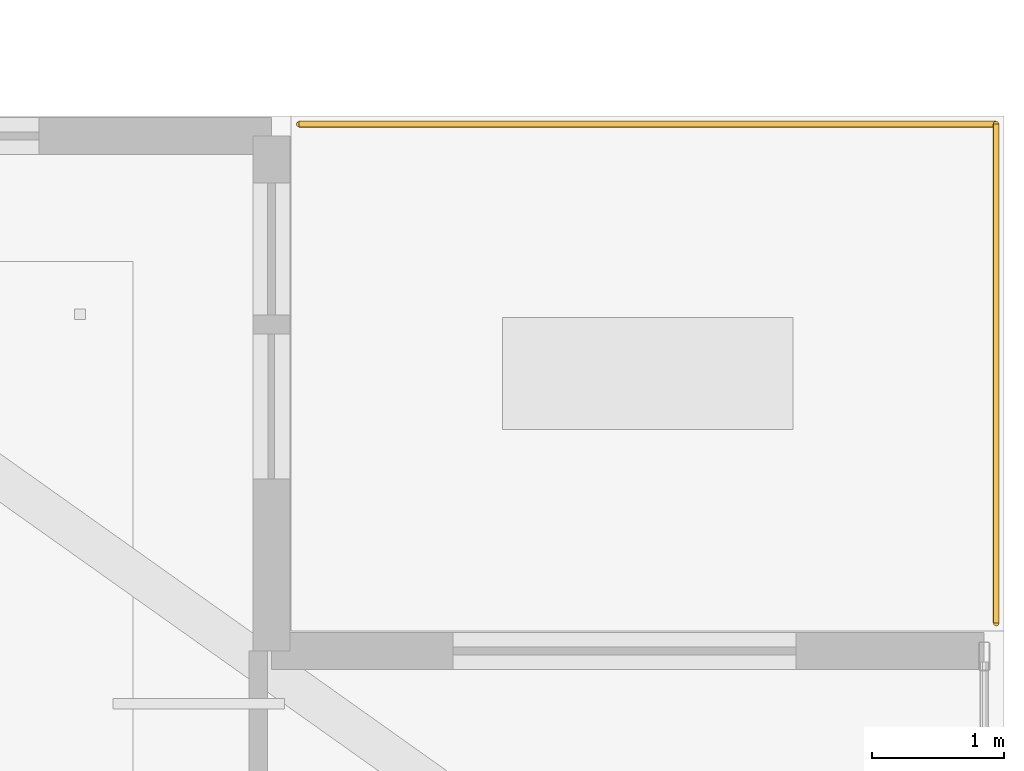
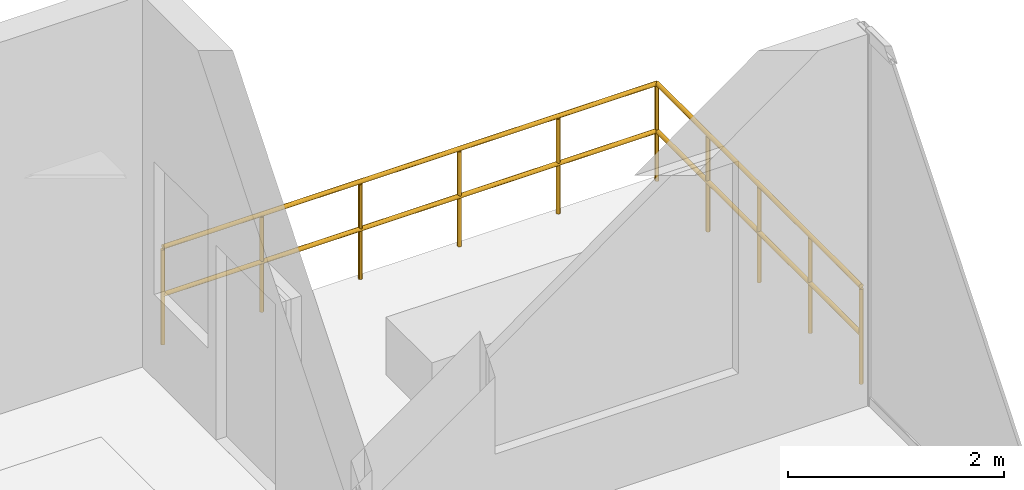
# One storey, part 33 of 33: 2 railings.
"""IFC4 building model written with IfcOpenShell, lengths in metres."""

from ifc_helpers import new_model, si_unit, direction, frame, origin, origin_2d, place, context, subcontext, project, spatial, circle, extrude, material, type_object, element, save


model = new_model("IFC4")

# Units and contexts
model_context = context("Model", 3, precision=1e-05, world=origin(), true_north=direction((0.0, 1.0)))
body_context = subcontext(model_context, "Body", "Model", "MODEL_VIEW")
ifc_project = project(units=[si_unit("LENGTHUNIT", "METRE"), si_unit("AREAUNIT", "SQUARE_METRE"), si_unit("VOLUMEUNIT", "CUBIC_METRE"), si_unit("PLANEANGLEUNIT", "RADIAN"), si_unit("MASSUNIT", "GRAM", prefix="KILO")], contexts=[model_context])

# Site, building, storey
site_placement = place(None, origin())
site = spatial("IfcSite", under=ifc_project, at=site_placement, CompositionType="ELEMENT")
building_placement = place(site_placement, origin())
building = spatial("IfcBuilding", under=site, at=building_placement, Name="Tarnavaz Court Tower", CompositionType="ELEMENT")
storey_placement = place(building_placement, frame((0.0, 0.0, 172.800048828125)))
storey = spatial("IfcBuildingStorey", under=building, at=storey_placement, Name="L47", CompositionType="ELEMENT", Elevation=172.800048828125)

# Railings
ifc_material = material(Name="Anodised Aluminium 6063-T6 and Laminated Safety Glass", Category="aluminium")
railing_type = type_object("IfcRailingType", Name="RL-BAL-1120", PredefinedType="BALUSTRADE", material=ifc_material)
railing_1_placement = place(storey_placement, frame((25.139892578125, 17.4599609375, 0.0)))
element("IfcRailing", 1, at=railing_1_placement, inside=storey, type_object=railing_type, Name="L47 Terrace 1 E Perimeter Balustrade", PredefinedType="BALUSTRADE", context=body_context, shape_type="SweptSolid", body=[
    extrude(circle(Radius=0.02392578125, at=origin_2d()), frame((0.0, 0.0, 1.09619140625), z_axis=(0.0, 1.0, 0.0), x_axis=(-1.0, 0.0, 0.0)), (0.0, 0.0, 1.0), 3.780029296875),
    extrude(circle(Radius=0.02392578125, at=origin_2d()), frame((0.0, 0.0, 0.56005859375), z_axis=(0.0, 1.0, 0.0), x_axis=(-1.0, 0.0, 0.0)), (0.0, 0.0, 1.0), 3.780029296875),
    extrude(circle(Radius=0.02099609375, at=origin_2d()), origin(), (0.0, 0.0, 1.0), 1.072021484375),
    extrude(circle(Radius=0.02099609375, at=origin_2d()), frame((0.0, 0.945068359375, 0.0)), (0.0, 0.0, 1.0), 1.072021484375),
    extrude(circle(Radius=0.02099609375, at=origin_2d()), frame((0.0, 1.89013671875, 0.0)), (0.0, 0.0, 1.0), 1.072021484375),
    extrude(circle(Radius=0.02099609375, at=origin_2d()), frame((0.0, 2.8349609375, 0.0)), (0.0, 0.0, 1.0), 1.072021484375),
    extrude(circle(Radius=0.02099609375, at=origin_2d()), frame((0.0, 3.780029296875, 0.0)), (0.0, 0.0, 1.0), 1.072021484375),
])
railing_2_placement = place(storey_placement, frame((25.139892578125, 21.239990234375, 0.0)))
element("IfcRailing", 2, at=railing_2_placement, inside=storey, type_object=railing_type, Name="L47 Terrace 1 N Perimeter Balustrade", PredefinedType="BALUSTRADE", context=body_context, shape_type="SweptSolid", body=[
    extrude(circle(Radius=0.02392578125, at=origin_2d()), frame((0.0, 0.0, 1.09619140625), z_axis=(-1.0, 0.0, 0.0), x_axis=(0.0, -1.0, 0.0)), (0.0, 0.0, 1.0), 5.27978515625),
    extrude(circle(Radius=0.02392578125, at=origin_2d()), frame((0.0, 0.0, 0.56005859375), z_axis=(-1.0, 0.0, 0.0), x_axis=(0.0, -1.0, 0.0)), (0.0, 0.0, 1.0), 5.27978515625),
    extrude(circle(Radius=0.02099609375, at=origin_2d()), origin(), (0.0, 0.0, 1.0), 1.072021484375),
    extrude(circle(Radius=0.02099609375, at=origin_2d()), frame((-1.055908203125, 0.0, 0.0)), (0.0, 0.0, 1.0), 1.072021484375),
    extrude(circle(Radius=0.02099609375, at=origin_2d()), frame((-2.11181640625, 0.0, 0.0)), (0.0, 0.0, 1.0), 1.072021484375),
    extrude(circle(Radius=0.02099609375, at=origin_2d()), frame((-3.16796875, 0.0, 0.0)), (0.0, 0.0, 1.0), 1.072021484375),
    extrude(circle(Radius=0.02099609375, at=origin_2d()), frame((-4.223876953125, 0.0, 0.0)), (0.0, 0.0, 1.0), 1.072021484375),
    extrude(circle(Radius=0.02099609375, at=origin_2d()), frame((-5.27978515625, 0.0, 0.0)), (0.0, 0.0, 1.0), 1.072021484375),
])

save(model, "model.ifc")
